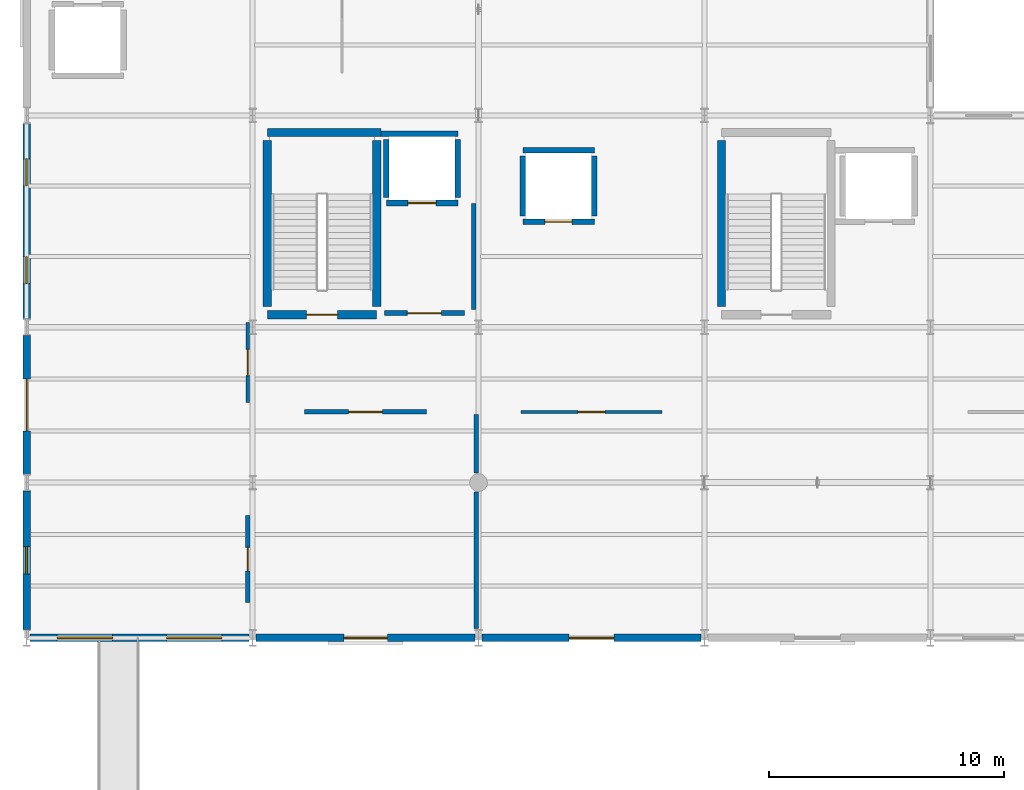
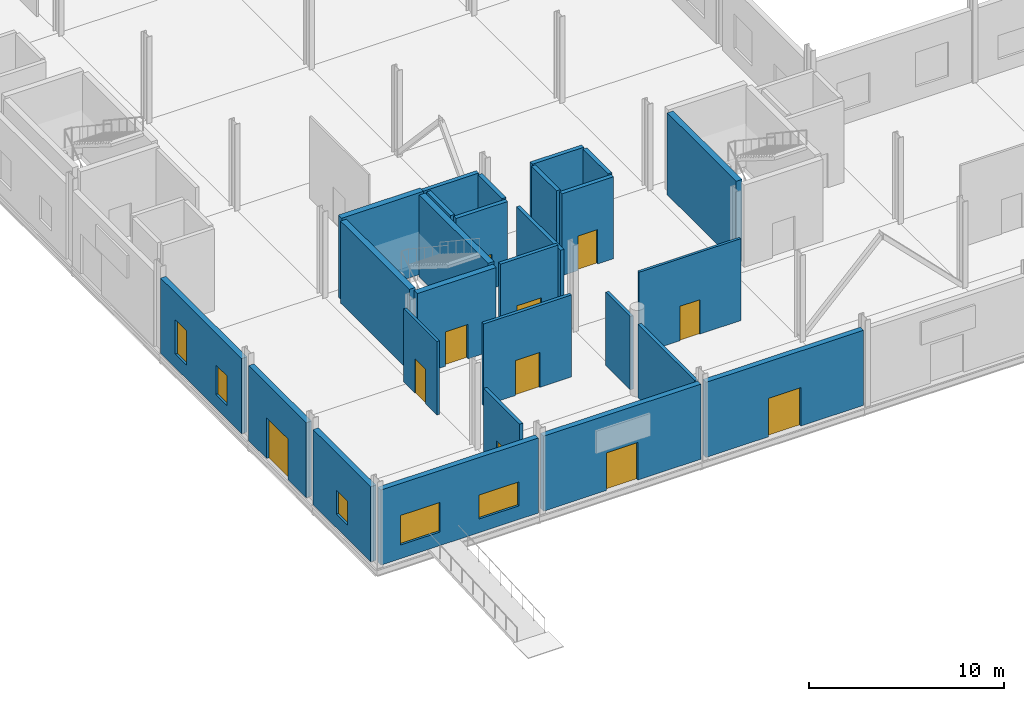
# One storey, part 65 of 85: 27 walls, 11 doors, 5 windows, 16 openings.
"""IFC4 building model written with IfcOpenShell, lengths in metres."""

from ifc_helpers import new_model, si_unit, direction, frame, frame_2d, origin, place, context, subcontext, project, spatial, rectangle, extrude, material, layer, layer_set, type_object, element, fill, save


model = new_model("IFC4")

# Units and contexts
model_context = context("Model", 3, precision=1e-05, world=origin(), true_north=direction((0.0, 1.0)))
body_context = subcontext(model_context, "Body", "Model", "MODEL_VIEW")
ifc_project = project(units=[si_unit("LENGTHUNIT", "METRE"), si_unit("AREAUNIT", "SQUARE_METRE"), si_unit("VOLUMEUNIT", "CUBIC_METRE"), si_unit("PLANEANGLEUNIT", "RADIAN"), si_unit("MASSUNIT", "GRAM", prefix="KILO")], contexts=[model_context])

# Site, building, storey
site_placement = place(None, origin())
site = spatial("IfcSite", under=ifc_project, at=site_placement, CompositionType="ELEMENT")
building_placement = place(site_placement, origin())
building = spatial("IfcBuilding", under=site, at=building_placement, Name="Zarnetskaya Central Station", CompositionType="ELEMENT")
storey_placement = place(building_placement, origin())
storey = spatial("IfcBuildingStorey", under=building, at=storey_placement, Name="L00", CompositionType="ELEMENT", Elevation=0.0)

# Wall, opening, door
ifc_material_1 = material(Name="Gypsum acoustic partition")
ifc_layer_1 = layer(ifc_material_1, 0.159912109375, Name="Gypsum acoustic partition")
ifc_layer_set_1 = layer_set([ifc_layer_1], Name="Gypsum acoustic partition")
wall_type_1 = type_object("IfcWallType", Name="PART-ACOU-160", PredefinedType="PARTITIONING", material=ifc_layer_set_1)
wall_1_placement = place(storey_placement, frame((9.39990234375, 13.39990234375, 0.0), z_axis=(0.0, 0.0, 1.0), x_axis=(0.0, -1.0, 0.0)))
wall_1 = element("IfcWall", 1, at=wall_1_placement, inside=storey, type_object=wall_type_1, Name="Interior partition IPRT-L00-0404", PredefinedType="PARTITIONING", context=body_context, shape_type="SweptSolid", body=[
    extrude(rectangle(XDim=3.39990234375, YDim=0.159912109375, at=frame_2d((1.699951171875, 0.0))), origin(), (0.0, 0.0, 1.0), 4.590087890625),
])
opening_1_placement = place(wall_1_placement, frame((1.139892578125, 0.0, 0.0)))
opening_1 = element("IfcOpeningElement", 2, at=opening_1_placement, cuts=wall_1, Name="Opening DR-07", PredefinedType="OPENING", context=body_context, shape_type="SweptSolid", body=[
    extrude(rectangle(XDim=1.1201171875, YDim=2.14990234375, at=frame_2d((0.56005859375, 1.074951171875))), frame((0.0, 0.08984375, 0.0), z_axis=(0.0, -1.0, 0.0), x_axis=(1.0, 0.0, 0.0)), (0.0, 0.0, 1.0), 0.179931640625),
])
ifc_material_2 = material(Name="Anodised aluminium", Category="aluminium")
door_type_1 = type_object("IfcDoorType", Name="DR-INT-07", OperationType="NOTDEFINED", PredefinedType="DOOR", material=ifc_material_2)
door_1_placement = place(opening_1_placement, origin())
door_1 = element("IfcDoor", 3, at=door_1_placement, inside=storey, type_object=door_type_1, Name="Ground Customer Information Lounge door", OperationType="SINGLE_SWING_RIGHT", OverallHeight=2.14990234375, OverallWidth=1.1201171875, PredefinedType="DOOR", context=body_context, shape_type="SweptSolid", body=[
    extrude(rectangle(XDim=1.1201171875, YDim=2.14990234375, at=frame_2d((0.56005859375, 1.074951171875))), frame((0.0, 0.02490234375, 0.0), z_axis=(0.0, -1.0, 0.0), x_axis=(1.0, 0.0, 0.0)), (0.0, 0.0, 1.0), 0.050048828125),
])
fill(opening_1, door_1)

ifc_material_3 = material(Name="Concrete C30/37", Category="concrete")
ifc_layer_2 = layer(ifc_material_3, 0.205078125, Name="Concrete C30/37", Category="concrete")
ifc_layer_set_2 = layer_set([ifc_layer_2], Name="Concrete C30/37")
wall_type_2 = type_object("IfcWallType", Name="PART-FFL-205", PredefinedType="PARTITIONING", material=ifc_layer_set_2)
wall_2_placement = place(storey_placement, frame((18.60009765625, 13.800048828125, 0.0), z_axis=(0.0, 0.0, 1.0), x_axis=(-1.0, 0.0, 0.0)))
wall_2 = element("IfcWall", 4, at=wall_2_placement, inside=storey, type_object=wall_type_2, Name="Interior partition IPRT-L00-0356", PredefinedType="PARTITIONING", context=body_context, shape_type="SweptSolid", body=[
    extrude(rectangle(XDim=3.400146484375, YDim=0.205078125, at=frame_2d((1.7001953125, 0.0))), origin(), (0.0, 0.0, 1.0), 5.1201171875),
])
opening_2_placement = place(wall_2_placement, frame((0.97998046875, 0.0, 0.0)))
opening_2 = element("IfcOpeningElement", 5, at=opening_2_placement, cuts=wall_2, Name="Opening DR-FFL", PredefinedType="OPENING", context=body_context, shape_type="SweptSolid", body=[
    extrude(rectangle(XDim=1.43994140625, YDim=2.179931640625, at=frame_2d((0.719970703125, 1.08984375))), frame((0.0, 0.112548828125, 0.0), z_axis=(0.0, -1.0, 0.0), x_axis=(1.0, 0.0, 0.0)), (0.0, 0.0, 1.0), 0.22509765625),
])
door_type_2 = type_object("IfcDoorType", Name="DR-FIRE-LOBBY", OperationType="NOTDEFINED", PredefinedType="DOOR", material=ifc_material_2)
door_2_placement = place(opening_2_placement, origin())
door_2 = element("IfcDoor", 6, at=door_2_placement, inside=storey, type_object=door_type_2, Name="Firefighting Lift Lobby C1 door", OperationType="SINGLE_SWING_RIGHT", OverallHeight=2.179931640625, OverallWidth=1.43994140625, PredefinedType="DOOR", context=body_context, shape_type="SweptSolid", body=[
    extrude(rectangle(XDim=1.43994140625, YDim=2.179931640625, at=frame_2d((0.719970703125, 1.08984375))), frame((0.0, 0.02490234375, 0.0), z_axis=(0.0, -1.0, 0.0), x_axis=(1.0, 0.0, 0.0)), (0.0, 0.0, 1.0), 0.050048828125),
])
fill(opening_2, door_2)

# Wall
wall_3_placement = place(storey_placement, frame((19.0, 18.449951171875, 0.0), z_axis=(0.0, 0.0, 1.0), x_axis=(0.0, -1.0, 0.0)))
element("IfcWall", 7, at=wall_3_placement, inside=storey, type_object=wall_type_2, Name="Interior partition IPRT-L00-0357", PredefinedType="PARTITIONING", context=body_context, shape_type="SweptSolid", body=[
    extrude(rectangle(XDim=4.5, YDim=0.205078125, at=frame_2d((2.25, 0.0))), origin(), (0.0, 0.0, 1.0), 4.5400390625),
])

# Wall, opening, door
ifc_layer_3 = layer(ifc_material_3, 0.18994140625, Name="Concrete C30/37", Category="concrete")
ifc_layer_set_3 = layer_set([ifc_layer_3], Name="Concrete C30/37")
wall_type_3 = type_object("IfcWallType", Name="PART-FIRE-190", PredefinedType="PARTITIONING", material=ifc_layer_set_3)
wall_4_placement = place(storey_placement, frame((11.800048828125, 9.60009765625, 0.0), z_axis=(0.0, 0.0, 1.0), x_axis=(1.0, 0.0, 0.0)))
wall_4 = element("IfcWall", 8, at=wall_4_placement, inside=storey, type_object=wall_type_3, Name="Interior partition IPRT-L00-0400", PredefinedType="PARTITIONING", context=body_context, shape_type="SweptSolid", body=[
    extrude(rectangle(XDim=5.199951171875, YDim=0.18994140625, at=frame_2d((2.60009765625, 0.0))), origin(), (0.0, 0.0, 1.0), 5.1201171875),
])
opening_3_placement = place(wall_4_placement, frame((1.8798828125, 0.0, 0.0)))
opening_3 = element("IfcOpeningElement", 9, at=opening_3_placement, cuts=wall_4, Name="Opening DR-FFL", PredefinedType="OPENING", context=body_context, shape_type="SweptSolid", body=[
    extrude(rectangle(XDim=1.43994140625, YDim=2.179931640625, at=frame_2d((0.719970703125, 1.08984375))), frame((0.0, 0.10498046875, 0.0), z_axis=(0.0, -1.0, 0.0), x_axis=(1.0, 0.0, 0.0)), (0.0, 0.0, 1.0), 0.2099609375),
])
door_3_placement = place(opening_3_placement, origin())
door_3 = element("IfcDoor", 10, at=door_3_placement, inside=storey, type_object=door_type_2, Name="Operations South Exit Vestibule L00 door", OperationType="SINGLE_SWING_RIGHT", OverallHeight=2.179931640625, OverallWidth=1.43994140625, PredefinedType="DOOR", context=body_context, shape_type="SweptSolid", body=[
    extrude(rectangle(XDim=1.43994140625, YDim=2.179931640625, at=frame_2d((0.719970703125, 1.08984375))), frame((0.0, 0.02490234375, 0.0), z_axis=(0.0, -1.0, 0.0), x_axis=(1.0, 0.0, 0.0)), (0.0, 0.0, 1.0), 0.050048828125),
])
fill(opening_3, door_3)

# Walls
wall_5_placement = place(storey_placement, frame((19.10009765625, 6.199951171875, 0.0), z_axis=(0.0, 0.0, 1.0), x_axis=(0.0, -1.0, 0.0)))
element("IfcWall", 11, at=wall_5_placement, inside=storey, type_object=wall_type_3, Name="Interior partition IPRT-L00-0401", PredefinedType="PARTITIONING", context=body_context, shape_type="SweptSolid", body=[
    extrude(rectangle(XDim=5.800048828125, YDim=0.18994140625, at=frame_2d((2.89990234375, 0.0))), origin(), (0.0, 0.0, 1.0), 4.590087890625),
])
wall_6_placement = place(storey_placement, frame((19.10009765625, 9.5, 0.0), z_axis=(0.0, 0.0, 1.0), x_axis=(0.0, -1.0, 0.0)))
element("IfcWall", 12, at=wall_6_placement, inside=storey, type_object=wall_type_3, Name="Interior partition IPRT-L00-0402", PredefinedType="PARTITIONING", context=body_context, shape_type="SweptSolid", body=[
    extrude(rectangle(XDim=2.5, YDim=0.18994140625, at=frame_2d((1.25, 0.0))), origin(), (0.0, 0.0, 1.0), 4.590087890625),
])

# Wall, opening, door
wall_7_placement = place(storey_placement, frame((9.39990234375, 5.199951171875, 0.0), z_axis=(0.0, 0.0, 1.0), x_axis=(0.0, -1.0, 0.0)))
wall_7 = element("IfcWall", 13, at=wall_7_placement, inside=storey, type_object=wall_type_3, Name="Interior partition IPRT-L00-0403", PredefinedType="PARTITIONING", context=body_context, shape_type="SweptSolid", body=[
    extrude(rectangle(XDim=3.699951171875, YDim=0.18994140625, at=frame_2d((1.85009765625, 0.0))), origin(), (0.0, 0.0, 1.0), 4.590087890625),
])
opening_4_placement = place(wall_7_placement, frame((1.35009765625, 0.0, 0.0)))
opening_4 = element("IfcOpeningElement", 14, at=opening_4_placement, cuts=wall_7, Name="Opening DR-06", PredefinedType="OPENING", context=body_context, shape_type="SweptSolid", body=[
    extrude(rectangle(XDim=1.0, YDim=2.1201171875, at=frame_2d((0.5, 1.06005859375))), frame((0.0, 0.10498046875, 0.0), z_axis=(0.0, -1.0, 0.0), x_axis=(1.0, 0.0, 0.0)), (0.0, 0.0, 1.0), 0.2099609375),
])
door_type_3 = type_object("IfcDoorType", Name="DR-INT-04", OperationType="NOTDEFINED", PredefinedType="DOOR", material=ifc_material_2)
door_4_placement = place(opening_4_placement, origin())
door_4 = element("IfcDoor", 15, at=door_4_placement, inside=storey, type_object=door_type_3, Name="Fire Command Room door", OperationType="SINGLE_SWING_LEFT", OverallHeight=2.1201171875, OverallWidth=1.0, PredefinedType="DOOR", context=body_context, shape_type="SweptSolid", body=[
    extrude(rectangle(XDim=1.0, YDim=2.1201171875, at=frame_2d((0.5, 1.06005859375))), frame((0.0, 0.02490234375, 0.0), z_axis=(0.0, -1.0, 0.0), x_axis=(1.0, 0.0, 0.0)), (0.0, 0.0, 1.0), 0.050048828125),
])
fill(opening_4, door_4)

ifc_layer_4 = layer(ifc_material_1, 0.14501953125, Name="Gypsum acoustic partition")
ifc_layer_set_4 = layer_set([ifc_layer_4], Name="Gypsum acoustic partition")
wall_type_4 = type_object("IfcWallType", Name="PART-HALL-145", PredefinedType="PARTITIONING", material=ifc_layer_set_4)
wall_8_placement = place(storey_placement, frame((21.0, 9.60009765625, 0.0), z_axis=(0.0, 0.0, 1.0), x_axis=(1.0, 0.0, 0.0)))
wall_8 = element("IfcWall", 16, at=wall_8_placement, inside=storey, type_object=wall_type_4, Name="Interior partition IPRT-L00-0405", PredefinedType="PARTITIONING", context=body_context, shape_type="SweptSolid", body=[
    extrude(rectangle(XDim=6.0, YDim=0.14501953125, at=frame_2d((3.0, 0.0))), origin(), (0.0, 0.0, 1.0), 5.1201171875),
])
opening_5_placement = place(wall_8_placement, frame((2.419921875, 0.0, 0.0)))
opening_5 = element("IfcOpeningElement", 17, at=opening_5_placement, cuts=wall_8, Name="Opening DR-19", PredefinedType="OPENING", context=body_context, shape_type="SweptSolid", body=[
    extrude(rectangle(XDim=1.159912109375, YDim=2.14990234375, at=frame_2d((0.580078125, 1.074951171875))), frame((0.0, 0.08251953125, 0.0), z_axis=(0.0, -1.0, 0.0), x_axis=(1.0, 0.0, 0.0)), (0.0, 0.0, 1.0), 0.1650390625),
])
door_type_4 = type_object("IfcDoorType", Name="DR-INT-08", OperationType="NOTDEFINED", PredefinedType="DOOR", material=ifc_material_2)
door_5_placement = place(opening_5_placement, origin())
door_5 = element("IfcDoor", 18, at=door_5_placement, inside=storey, type_object=door_type_4, Name="Station Security Screening and Duty Police Post door", OperationType="SINGLE_SWING_LEFT", OverallHeight=2.14990234375, OverallWidth=1.159912109375, PredefinedType="DOOR", context=body_context, shape_type="SweptSolid", body=[
    extrude(rectangle(XDim=1.159912109375, YDim=2.14990234375, at=frame_2d((0.580078125, 1.074951171875))), frame((0.0, 0.02490234375, 0.0), z_axis=(0.0, -1.0, 0.0), x_axis=(1.0, 0.0, 0.0)), (0.0, 0.0, 1.0), 0.050048828125),
])
fill(opening_5, door_5)

ifc_material_4 = material(Name="Concrete C35/45", Category="concrete")
ifc_layer_5 = layer(ifc_material_4, 0.35009765625, Name="Concrete C35/45", Category="concrete")
ifc_layer_set_5 = layer_set([ifc_layer_5], Name="Concrete C35/45")
wall_type_5 = type_object("IfcWallType", Name="WALL-CORE-350", PredefinedType="SHEAR", material=ifc_layer_set_5)
wall_9_placement = place(storey_placement, frame((14.875, 13.72509765625, 0.0), z_axis=(0.0, 0.0, 1.0), x_axis=(-1.0, 0.0, 0.0)))
wall_9 = element("IfcWall", 19, at=wall_9_placement, inside=storey, type_object=wall_type_5, Name="Core shear wall WSTR-L00-0193", PredefinedType="SHEAR", context=body_context, shape_type="SweptSolid", body=[
    extrude(rectangle(XDim=4.64990234375, YDim=0.35009765625, at=frame_2d((2.324951171875, 0.0))), origin(), (0.0, 0.0, 1.0), 5.1201171875),
])
opening_6_placement = place(wall_9_placement, frame((1.6650390625, 0.0, 0.0)))
opening_6 = element("IfcOpeningElement", 20, at=opening_6_placement, cuts=wall_9, Name="Opening DR-FD60", PredefinedType="OPENING", context=body_context, shape_type="SweptSolid", body=[
    extrude(rectangle(XDim=1.320068359375, YDim=2.14990234375, at=frame_2d((0.66015625, 1.074951171875))), frame((0.0, 0.18505859375, 0.0), z_axis=(0.0, -1.0, 0.0), x_axis=(1.0, 0.0, 0.0)), (0.0, 0.0, 1.0), 0.3701171875),
])
door_type_5 = type_object("IfcDoorType", Name="DR-FIRE-STAIR", OperationType="NOTDEFINED", PredefinedType="DOOR", material=ifc_material_2)
door_6_placement = place(opening_6_placement, origin())
door_6 = element("IfcDoor", 21, at=door_6_placement, inside=storey, type_object=door_type_5, Name="Protected exit stair door ST-C1 L00", OperationType="SINGLE_SWING_RIGHT", OverallHeight=2.14990234375, OverallWidth=1.320068359375, PredefinedType="DOOR", context=body_context, shape_type="SweptSolid", body=[
    extrude(rectangle(XDim=1.320068359375, YDim=2.14990234375, at=frame_2d((0.66015625, 1.074951171875))), frame((0.0, 0.02490234375, 0.0), z_axis=(0.0, -1.0, 0.0), x_axis=(1.0, 0.0, 0.0)), (0.0, 0.0, 1.0), 0.050048828125),
])
fill(opening_6, door_6)

# Walls
wall_10_placement = place(storey_placement, frame((10.22509765625, 21.47509765625, 0.0), z_axis=(0.0, 0.0, 1.0), x_axis=(1.0, 0.0, 0.0)))
element("IfcWall", 22, at=wall_10_placement, inside=storey, type_object=wall_type_5, Name="Core shear wall WSTR-L00-0194", PredefinedType="SHEAR", context=body_context, shape_type="SweptSolid", body=[
    extrude(rectangle(XDim=4.824951171875, YDim=0.35009765625, at=frame_2d((2.41259765625, 0.0))), origin(), (0.0, 0.0, 1.0), 5.1201171875),
])
for number, where, z_axis, x_axis, name in (
    (23, (10.22509765625, 14.074951171875, 0.0), (0.0, 0.0, 1.0), (0.0, 1.0, 0.0), "Core shear wall WSTR-L00-0195"),
    (24, (14.875, 21.125, 0.0), (0.0, 0.0, 1.0), (0.0, -1.0, 0.0), "Core shear wall WSTR-L00-0196"),
    (25, (29.52490234375, 14.074951171875, 0.0), (0.0, 0.0, 1.0), (0.0, 1.0, 0.0), "Core shear wall WSTR-L00-0251"),
):
    element("IfcWall", number, at=place(storey_placement, frame(where, z_axis=z_axis, x_axis=x_axis)), inside=storey, type_object=wall_type_5, Name=name, PredefinedType="SHEAR", context=body_context, shape_type="SweptSolid", body=[
        extrude(rectangle(XDim=7.050048828125, YDim=0.35009765625, at=frame_2d((3.52490234375, 0.0))), origin(), (0.0, 0.0, 1.0), 5.1201171875),
    ])

# Wall, opening, window
ifc_material_5 = material(Name="Precast concrete C40/50", Category="concrete")
ifc_layer_6 = layer(ifc_material_5, 0.320068359375, Name="Precast concrete C40/50", Category="concrete")
ifc_layer_set_6 = layer_set([ifc_layer_6], Name="Precast concrete C40/50")
wall_type_6 = type_object("IfcWallType", Name="WALL-EXT-320", PredefinedType="SOLIDWALL", material=ifc_layer_set_6)
wall_11_placement = place(storey_placement, frame((0.0, 0.35009765625, 0.0), z_axis=(0.0, 0.0, 1.0), x_axis=(0.0, 1.0, 0.0)))
wall_11 = element("IfcWall", 26, at=wall_11_placement, inside=storey, type_object=wall_type_6, Name="Exterior precast wall EW-L00-0-4-0-62", PredefinedType="SOLIDWALL", context=body_context, shape_type="SweptSolid", body=[
    extrude(rectangle(XDim=5.89990234375, YDim=0.320068359375, at=frame_2d((2.949951171875, 0.0))), origin(), (0.0, 0.0, 1.0), 4.68994140625),
])
opening_7_placement = place(wall_11_placement, frame((2.375, 0.0, 0.85009765625)))
opening_7 = element("IfcOpeningElement", 27, at=opening_7_placement, cuts=wall_11, Name="Opening WN-41", PredefinedType="OPENING", context=body_context, shape_type="SweptSolid", body=[
    extrude(rectangle(XDim=1.14990234375, YDim=1.5, at=frame_2d((0.574951171875, 0.75))), frame((0.0, 0.169921875, 0.0), z_axis=(0.0, -1.0, 0.0), x_axis=(1.0, 0.0, 0.0)), (0.0, 0.0, 1.0), 0.340087890625),
])
ifc_material_6 = material(Name="Low-E insulated glass", Category="glass")
window_type_1 = type_object("IfcWindowType", Name="WIN-01", PartitioningType="SINGLE_PANEL", PredefinedType="WINDOW", material=ifc_material_6)
window_1_placement = place(opening_7_placement, origin())
window_1 = element("IfcWindow", 28, at=window_1_placement, inside=storey, type_object=window_type_1, Name="Facade window L00-0001", OverallHeight=1.5, OverallWidth=1.14990234375, PartitioningType="SINGLE_PANEL", PredefinedType="WINDOW", context=body_context, shape_type="SweptSolid", body=[
    extrude(rectangle(XDim=1.14990234375, YDim=1.5, at=frame_2d((0.574951171875, 0.75))), frame((0.0, 0.030029296875, 0.0), z_axis=(0.0, -1.0, 0.0), x_axis=(1.0, 0.0, 0.0)), (0.0, 0.0, 1.0), 0.06005859375),
])
fill(opening_7, window_1)

# Wall, opening, door
wall_12_placement = place(storey_placement, frame((0.0, 6.949951171875, 0.0), z_axis=(0.0, 0.0, 1.0), x_axis=(0.0, 1.0, 0.0)))
wall_12 = element("IfcWall", 29, at=wall_12_placement, inside=storey, type_object=wall_type_6, Name="Exterior precast wall EW-L00-0-70-0-128", PredefinedType="SOLIDWALL", context=body_context, shape_type="SweptSolid", body=[
    extrude(rectangle(XDim=5.900146484375, YDim=0.320068359375, at=frame_2d((2.9501953125, 0.0))), origin(), (0.0, 0.0, 1.0), 4.68994140625),
])
opening_8_placement = place(wall_12_placement, frame((1.85009765625, 0.0, 0.0)))
opening_8 = element("IfcOpeningElement", 30, at=opening_8_placement, cuts=wall_12, Name="Opening ED-02", PredefinedType="OPENING", context=body_context, shape_type="SweptSolid", body=[
    extrude(rectangle(XDim=2.199951171875, YDim=2.550048828125, at=frame_2d((1.10009765625, 1.27490234375))), frame((0.0, 0.169921875, 0.0), z_axis=(0.0, -1.0, 0.0), x_axis=(1.0, 0.0, 0.0)), (0.0, 0.0, 1.0), 0.340087890625),
])
door_type_6 = type_object("IfcDoorType", Name="DR-EXT-220x255", OperationType="NOTDEFINED", PredefinedType="DOOR", material=ifc_material_2)
door_7_placement = place(opening_8_placement, origin())
door_7 = element("IfcDoor", 31, at=door_7_placement, inside=storey, type_object=door_type_6, Name="Pedestrian final exit door ED-01", OperationType="DOUBLE_DOOR_SINGLE_SWING", OverallHeight=2.550048828125, OverallWidth=2.199951171875, PredefinedType="DOOR", context=body_context, shape_type="SweptSolid", body=[
    extrude(rectangle(XDim=2.199951171875, YDim=2.550048828125, at=frame_2d((1.10009765625, 1.27490234375))), frame((0.0, 0.02490234375, 0.0), z_axis=(0.0, -1.0, 0.0), x_axis=(1.0, 0.0, 0.0)), (0.0, 0.0, 1.0), 0.050048828125),
])
fill(opening_8, door_7)

# Wall, openings, windows
wall_13_placement = place(storey_placement, frame((0.0, 13.550048828125, 0.0), z_axis=(0.0, 0.0, 1.0), x_axis=(0.0, 1.0, 0.0)))
wall_13 = element("IfcWall", 32, at=wall_13_placement, inside=storey, type_object=wall_type_6, Name="Exterior precast wall EW-L00-0-136-0-218", PredefinedType="SOLIDWALL", context=body_context, shape_type="SweptSolid", body=[
    extrude(rectangle(XDim=8.300048828125, YDim=0.320068359375, at=frame_2d((4.14990234375, 0.0))), origin(), (0.0, 0.0, 1.0), 4.68994140625),
])
opening_9_placement = place(wall_13_placement, frame((1.5, 0.0, 0.85009765625)))
opening_9 = element("IfcOpeningElement", 33, at=opening_9_placement, cuts=wall_13, Name="Opening WN-14", PredefinedType="OPENING", context=body_context, shape_type="SweptSolid", body=[
    extrude(rectangle(XDim=1.14990234375, YDim=1.85009765625, at=frame_2d((0.574951171875, 0.925048828125))), frame((0.0, 0.169921875, 0.0), z_axis=(0.0, -1.0, 0.0), x_axis=(1.0, 0.0, 0.0)), (0.0, 0.0, 1.0), 0.340087890625),
])
opening_10_placement = place(wall_13_placement, frame((5.64990234375, 0.0, 0.85009765625)))
opening_10 = element("IfcOpeningElement", 34, at=opening_10_placement, cuts=wall_13, Name="Opening WN-25", PredefinedType="OPENING", context=body_context, shape_type="SweptSolid", body=[
    extrude(rectangle(XDim=1.14990234375, YDim=2.14990234375, at=frame_2d((0.574951171875, 1.074951171875))), frame((0.0, 0.169921875, 0.0), z_axis=(0.0, -1.0, 0.0), x_axis=(1.0, 0.0, 0.0)), (0.0, 0.0, 1.0), 0.340087890625),
])
window_type_2 = type_object("IfcWindowType", Name="WIN-02", PartitioningType="SINGLE_PANEL", PredefinedType="WINDOW", material=ifc_material_6)
window_2_placement = place(opening_9_placement, origin())
window_2 = element("IfcWindow", 35, at=window_2_placement, inside=storey, type_object=window_type_2, Name="Facade window L00-0002", OverallHeight=1.85009765625, OverallWidth=1.14990234375, PartitioningType="SINGLE_PANEL", PredefinedType="WINDOW", context=body_context, shape_type="SweptSolid", body=[
    extrude(rectangle(XDim=1.14990234375, YDim=1.85009765625, at=frame_2d((0.574951171875, 0.925048828125))), frame((0.0, 0.030029296875, 0.0), z_axis=(0.0, -1.0, 0.0), x_axis=(1.0, 0.0, 0.0)), (0.0, 0.0, 1.0), 0.06005859375),
])
fill(opening_9, window_2)
window_type_3 = type_object("IfcWindowType", Name="WIN-03", PartitioningType="SINGLE_PANEL", PredefinedType="WINDOW", material=ifc_material_6)
window_3_placement = place(opening_10_placement, origin())
window_3 = element("IfcWindow", 36, at=window_3_placement, inside=storey, type_object=window_type_3, Name="Facade window L00-0003", OverallHeight=2.14990234375, OverallWidth=1.14990234375, PartitioningType="SINGLE_PANEL", PredefinedType="WINDOW", context=body_context, shape_type="SweptSolid", body=[
    extrude(rectangle(XDim=1.14990234375, YDim=2.14990234375, at=frame_2d((0.574951171875, 1.074951171875))), frame((0.0, 0.030029296875, 0.0), z_axis=(0.0, -1.0, 0.0), x_axis=(1.0, 0.0, 0.0)), (0.0, 0.0, 1.0), 0.06005859375),
])
fill(opening_10, window_3)

# Wall, opening, door
wall_14_placement = place(storey_placement, frame((28.64990234375, 0.0, 0.0), z_axis=(0.0, 0.0, 1.0), x_axis=(-1.0, 0.0, 0.0)))
wall_14 = element("IfcWall", 37, at=wall_14_placement, inside=storey, type_object=wall_type_6, Name="Exterior precast wall EW-L00-286-0-194-0", PredefinedType="SOLIDWALL", context=body_context, shape_type="SweptSolid", body=[
    extrude(rectangle(XDim=9.2998046875, YDim=0.320068359375, at=frame_2d((4.64990234375, 0.0))), origin(), (0.0, 0.0, 1.0), 4.68994140625),
])
opening_11_placement = place(wall_14_placement, frame((3.699951171875, 0.0, 0.0)))
opening_11 = element("IfcOpeningElement", 38, at=opening_11_placement, cuts=wall_14, Name="Opening ED-05", PredefinedType="OPENING", context=body_context, shape_type="SweptSolid", body=[
    extrude(rectangle(XDim=1.89990234375, YDim=2.39990234375, at=frame_2d((0.949951171875, 1.199951171875))), frame((0.0, 0.169921875, 0.0), z_axis=(0.0, -1.0, 0.0), x_axis=(1.0, 0.0, 0.0)), (0.0, 0.0, 1.0), 0.340087890625),
])
door_type_7 = type_object("IfcDoorType", Name="DR-EXT-190x240", OperationType="NOTDEFINED", PredefinedType="DOOR", material=ifc_material_2)
door_8_placement = place(opening_11_placement, origin())
door_8 = element("IfcDoor", 39, at=door_8_placement, inside=storey, type_object=door_type_7, Name="Pedestrian final exit door ED-07", OperationType="DOUBLE_DOOR_SINGLE_SWING", OverallHeight=2.39990234375, OverallWidth=1.89990234375, PredefinedType="DOOR", context=body_context, shape_type="SweptSolid", body=[
    extrude(rectangle(XDim=1.89990234375, YDim=2.39990234375, at=frame_2d((0.949951171875, 1.199951171875))), frame((0.0, 0.02490234375, 0.0), z_axis=(0.0, -1.0, 0.0), x_axis=(1.0, 0.0, 0.0)), (0.0, 0.0, 1.0), 0.050048828125),
])
fill(opening_11, door_8)

wall_15_placement = place(storey_placement, frame((19.050048828125, 0.0, 0.0), z_axis=(0.0, 0.0, 1.0), x_axis=(-1.0, 0.0, 0.0)))
wall_15 = element("IfcWall", 40, at=wall_15_placement, inside=storey, type_object=wall_type_6, Name="Exterior precast wall EW-L00-190-0-98-0", PredefinedType="SOLIDWALL", context=body_context, shape_type="SweptSolid", body=[
    extrude(rectangle(XDim=9.300048828125, YDim=0.320068359375, at=frame_2d((4.64990234375, 0.0))), origin(), (0.0, 0.0, 1.0), 4.68994140625),
])
opening_12_placement = place(wall_15_placement, frame((3.72509765625, 0.0, 0.0)))
opening_12 = element("IfcOpeningElement", 41, at=opening_12_placement, cuts=wall_15, Name="Opening ED-11", PredefinedType="OPENING", context=body_context, shape_type="SweptSolid", body=[
    extrude(rectangle(XDim=1.85009765625, YDim=2.35009765625, at=frame_2d((0.925048828125, 1.175048828125))), frame((0.0, 0.169921875, 0.0), z_axis=(0.0, -1.0, 0.0), x_axis=(1.0, 0.0, 0.0)), (0.0, 0.0, 1.0), 0.340087890625),
])
door_type_8 = type_object("IfcDoorType", Name="DR-EXT-185x235", OperationType="NOTDEFINED", PredefinedType="DOOR", material=ifc_material_2)
door_9_placement = place(opening_12_placement, origin())
door_9 = element("IfcDoor", 42, at=door_9_placement, inside=storey, type_object=door_type_8, Name="Pedestrian final exit door ED-08", OperationType="DOUBLE_DOOR_SINGLE_SWING", OverallHeight=2.35009765625, OverallWidth=1.85009765625, PredefinedType="DOOR", context=body_context, shape_type="SweptSolid", body=[
    extrude(rectangle(XDim=1.85009765625, YDim=2.35009765625, at=frame_2d((0.925048828125, 1.175048828125))), frame((0.0, 0.02490234375, 0.0), z_axis=(0.0, -1.0, 0.0), x_axis=(1.0, 0.0, 0.0)), (0.0, 0.0, 1.0), 0.050048828125),
])
fill(opening_12, door_9)

# Wall, openings, windows
wall_16_placement = place(storey_placement, frame((9.449951171875, 0.0, 0.0), z_axis=(0.0, 0.0, 1.0), x_axis=(-1.0, 0.0, 0.0)))
wall_16 = element("IfcWall", 43, at=wall_16_placement, inside=storey, type_object=wall_type_6, Name="Exterior precast wall EW-L00-94-0-2-0", PredefinedType="SOLIDWALL", context=body_context, shape_type="SweptSolid", body=[
    extrude(rectangle(XDim=9.300048828125, YDim=0.320068359375, at=frame_2d((4.64990234375, 0.0))), origin(), (0.0, 0.0, 1.0), 4.68994140625),
])
opening_13_placement = place(wall_16_placement, frame((1.14990234375, 0.0, 0.85009765625)))
opening_13 = element("IfcOpeningElement", 44, at=opening_13_placement, cuts=wall_16, Name="Opening WN-47", PredefinedType="OPENING", context=body_context, shape_type="SweptSolid", body=[
    extrude(rectangle(XDim=2.35009765625, YDim=1.5, at=frame_2d((1.175048828125, 0.75))), frame((0.0, 0.169921875, 0.0), z_axis=(0.0, -1.0, 0.0), x_axis=(1.0, 0.0, 0.0)), (0.0, 0.0, 1.0), 0.340087890625),
])
opening_14_placement = place(wall_16_placement, frame((5.800048828125, 0.0, 0.85009765625)))
opening_14 = element("IfcOpeningElement", 45, at=opening_14_placement, cuts=wall_16, Name="Opening WN-31", PredefinedType="OPENING", context=body_context, shape_type="SweptSolid", body=[
    extrude(rectangle(XDim=2.35009765625, YDim=1.85009765625, at=frame_2d((1.175048828125, 0.925048828125))), frame((0.0, 0.169921875, 0.0), z_axis=(0.0, -1.0, 0.0), x_axis=(1.0, 0.0, 0.0)), (0.0, 0.0, 1.0), 0.340087890625),
])
window_type_4 = type_object("IfcWindowType", Name="WIN-34", PartitioningType="DOUBLE_PANEL_VERTICAL", PredefinedType="WINDOW", material=ifc_material_6)
window_4_placement = place(opening_13_placement, origin())
window_4 = element("IfcWindow", 46, at=window_4_placement, inside=storey, type_object=window_type_4, Name="Facade window L00-0034", OverallHeight=1.5, OverallWidth=2.35009765625, PartitioningType="SINGLE_PANEL", PredefinedType="WINDOW", context=body_context, shape_type="SweptSolid", body=[
    extrude(rectangle(XDim=2.35009765625, YDim=1.5, at=frame_2d((1.175048828125, 0.75))), frame((0.0, 0.030029296875, 0.0), z_axis=(0.0, -1.0, 0.0), x_axis=(1.0, 0.0, 0.0)), (0.0, 0.0, 1.0), 0.06005859375),
])
fill(opening_13, window_4)
window_type_5 = type_object("IfcWindowType", Name="WIN-35", PartitioningType="DOUBLE_PANEL_VERTICAL", PredefinedType="WINDOW", material=ifc_material_6)
window_5_placement = place(opening_14_placement, origin())
window_5 = element("IfcWindow", 47, at=window_5_placement, inside=storey, type_object=window_type_5, Name="Facade window L00-0035", OverallHeight=1.85009765625, OverallWidth=2.35009765625, PartitioningType="SINGLE_PANEL", PredefinedType="WINDOW", context=body_context, shape_type="SweptSolid", body=[
    extrude(rectangle(XDim=2.35009765625, YDim=1.85009765625, at=frame_2d((1.175048828125, 0.925048828125))), frame((0.0, 0.030029296875, 0.0), z_axis=(0.0, -1.0, 0.0), x_axis=(1.0, 0.0, 0.0)), (0.0, 0.0, 1.0), 0.06005859375),
])
fill(opening_14, window_5)

# Wall, opening, door
ifc_layer_7 = layer(ifc_material_4, 0.239990234375, Name="Concrete C35/45", Category="concrete")
ifc_layer_set_7 = layer_set([ifc_layer_7], Name="Concrete C35/45")
wall_type_7 = type_object("IfcWallType", Name="WALL-SHFT-240", PredefinedType="SHEAR", material=ifc_layer_set_7)
wall_17_placement = place(storey_placement, frame((18.320068359375, 18.47998046875, 0.0), z_axis=(0.0, 0.0, 1.0), x_axis=(-1.0, 0.0, 0.0)))
wall_17 = element("IfcWall", 48, at=wall_17_placement, inside=storey, type_object=wall_type_7, Name="Core shear wall WSHF-L00-0005", PredefinedType="SHEAR", context=body_context, shape_type="SweptSolid", body=[
    extrude(rectangle(XDim=3.0400390625, YDim=0.239990234375, at=frame_2d((1.52001953125, 0.0))), origin(), (0.0, 0.0, 1.0), 5.1201171875),
])
opening_15_placement = place(wall_17_placement, frame((0.919921875, 0.0, 0.0)))
opening_15 = element("IfcOpeningElement", 49, at=opening_15_placement, cuts=wall_17, Name="Opening LD-FF", PredefinedType="OPENING", context=body_context, shape_type="SweptSolid", body=[
    extrude(rectangle(XDim=1.199951171875, YDim=2.14990234375, at=frame_2d((0.60009765625, 1.074951171875))), frame((0.0, 0.1298828125, 0.0), z_axis=(0.0, -1.0, 0.0), x_axis=(1.0, 0.0, 0.0)), (0.0, 0.0, 1.0), 0.260009765625),
])
door_type_9 = type_object("IfcDoorType", Name="DR-LIFT-FF", OperationType="NOTDEFINED", PredefinedType="DOOR", material=ifc_material_2)
door_10_placement = place(opening_15_placement, origin())
door_10 = element("IfcDoor", 50, at=door_10_placement, inside=storey, type_object=door_type_9, Name="Lift landing sliding door FL-01 L00", OperationType="DOUBLE_DOOR_SLIDING", OverallHeight=2.14990234375, OverallWidth=1.199951171875, PredefinedType="DOOR", context=body_context, shape_type="SweptSolid", body=[
    extrude(rectangle(XDim=1.199951171875, YDim=2.14990234375, at=frame_2d((0.60009765625, 1.074951171875))), frame((0.0, 0.02490234375, 0.0), z_axis=(0.0, -1.0, 0.0), x_axis=(1.0, 0.0, 0.0)), (0.0, 0.0, 1.0), 0.050048828125),
])
fill(opening_15, door_10)

# Walls
wall_18_placement = place(storey_placement, frame((15.050048828125, 21.419921875, 0.0), z_axis=(0.0, 0.0, 1.0), x_axis=(1.0, 0.0, 0.0)))
element("IfcWall", 51, at=wall_18_placement, inside=storey, type_object=wall_type_7, Name="Core shear wall WSHF-L00-0006", PredefinedType="SHEAR", context=body_context, shape_type="SweptSolid", body=[
    extrude(rectangle(XDim=3.27001953125, YDim=0.239990234375, at=frame_2d((1.635009765625, 0.0))), origin(), (0.0, 0.0, 1.0), 5.1201171875),
])
for number, where, z_axis, x_axis, name in (
    (52, (15.280029296875, 18.719970703125, 0.0), (0.0, 0.0, 1.0), (0.0, 1.0, 0.0), "Core shear wall WSHF-L00-0007"),
    (53, (18.320068359375, 21.179931640625, 0.0), (0.0, 0.0, 1.0), (0.0, -1.0, 0.0), "Core shear wall WSHF-L00-0008"),
):
    element("IfcWall", number, at=place(storey_placement, frame(where, z_axis=z_axis, x_axis=x_axis)), inside=storey, type_object=wall_type_7, Name=name, PredefinedType="SHEAR", context=body_context, shape_type="SweptSolid", body=[
        extrude(rectangle(XDim=2.4599609375, YDim=0.239990234375, at=frame_2d((1.22998046875, 0.0))), origin(), (0.0, 0.0, 1.0), 5.1201171875),
    ])

# Wall, opening, door
wall_19_placement = place(storey_placement, frame((24.1201171875, 17.679931640625, 0.0), z_axis=(0.0, 0.0, 1.0), x_axis=(-1.0, 0.0, 0.0)))
wall_19 = element("IfcWall", 54, at=wall_19_placement, inside=storey, type_object=wall_type_7, Name="Core shear wall WSHF-L00-0033", PredefinedType="SHEAR", context=body_context, shape_type="SweptSolid", body=[
    extrude(rectangle(XDim=3.0400390625, YDim=0.239990234375, at=frame_2d((1.52001953125, 0.0))), origin(), (0.0, 0.0, 1.0), 5.1201171875),
])
opening_16_placement = place(wall_19_placement, frame((0.93994140625, 0.0, 0.0)))
opening_16 = element("IfcOpeningElement", 55, at=opening_16_placement, cuts=wall_19, Name="Opening DR-24", PredefinedType="OPENING", context=body_context, shape_type="SweptSolid", body=[
    extrude(rectangle(XDim=1.159912109375, YDim=2.14990234375, at=frame_2d((0.580078125, 1.074951171875))), frame((0.0, 0.1298828125, 0.0), z_axis=(0.0, -1.0, 0.0), x_axis=(1.0, 0.0, 0.0)), (0.0, 0.0, 1.0), 0.260009765625),
])
door_type_10 = type_object("IfcDoorType", Name="DR-LIFT-PAX", OperationType="NOTDEFINED", PredefinedType="DOOR", material=ifc_material_2)
door_11_placement = place(opening_16_placement, origin())
door_11 = element("IfcDoor", 56, at=door_11_placement, inside=storey, type_object=door_type_10, Name="Lift landing sliding door LP-01 L00", OperationType="DOUBLE_DOOR_SLIDING", OverallHeight=2.14990234375, OverallWidth=1.159912109375, PredefinedType="DOOR", context=body_context, shape_type="SweptSolid", body=[
    extrude(rectangle(XDim=1.159912109375, YDim=2.14990234375, at=frame_2d((0.580078125, 1.074951171875))), frame((0.0, 0.02490234375, 0.0), z_axis=(0.0, -1.0, 0.0), x_axis=(1.0, 0.0, 0.0)), (0.0, 0.0, 1.0), 0.050048828125),
])
fill(opening_16, door_11)

# Walls
wall_20_placement = place(storey_placement, frame((21.080078125, 20.719970703125, 0.0), z_axis=(0.0, 0.0, 1.0), x_axis=(1.0, 0.0, 0.0)))
element("IfcWall", 57, at=wall_20_placement, inside=storey, type_object=wall_type_7, Name="Core shear wall WSHF-L00-0034", PredefinedType="SHEAR", context=body_context, shape_type="SweptSolid", body=[
    extrude(rectangle(XDim=3.0400390625, YDim=0.239990234375, at=frame_2d((1.52001953125, 0.0))), origin(), (0.0, 0.0, 1.0), 5.1201171875),
])
for number, where, z_axis, x_axis, name in (
    (58, (21.080078125, 17.919921875, 0.0), (0.0, 0.0, 1.0), (0.0, 1.0, 0.0), "Core shear wall WSHF-L00-0035"),
    (59, (24.1201171875, 20.47998046875, 0.0), (0.0, 0.0, 1.0), (0.0, -1.0, 0.0), "Core shear wall WSHF-L00-0036"),
):
    element("IfcWall", number, at=place(storey_placement, frame(where, z_axis=z_axis, x_axis=x_axis)), inside=storey, type_object=wall_type_7, Name=name, PredefinedType="SHEAR", context=body_context, shape_type="SweptSolid", body=[
        extrude(rectangle(XDim=2.56005859375, YDim=0.239990234375, at=frame_2d((1.280029296875, 0.0))), origin(), (0.0, 0.0, 1.0), 5.1201171875),
    ])

save(model, "model.ifc")
